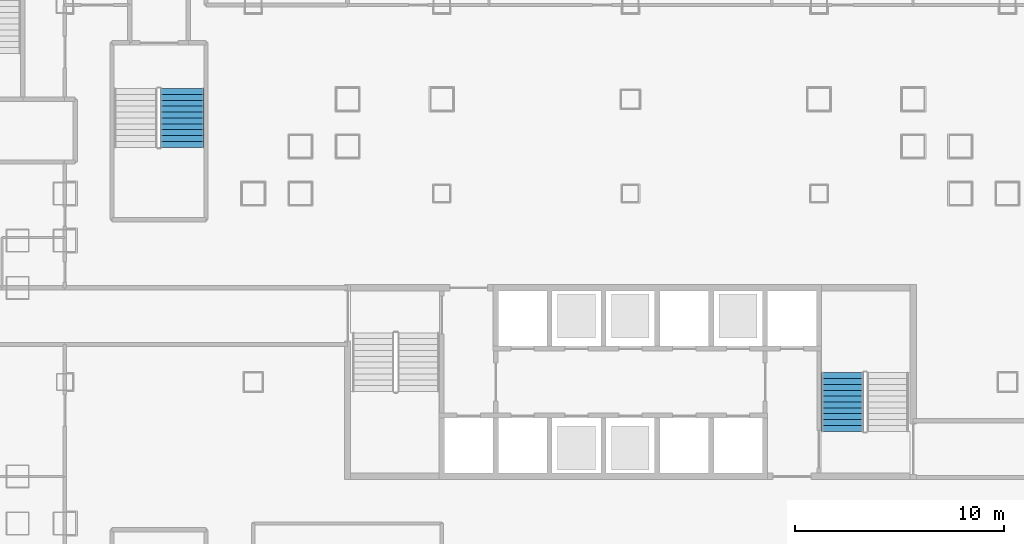
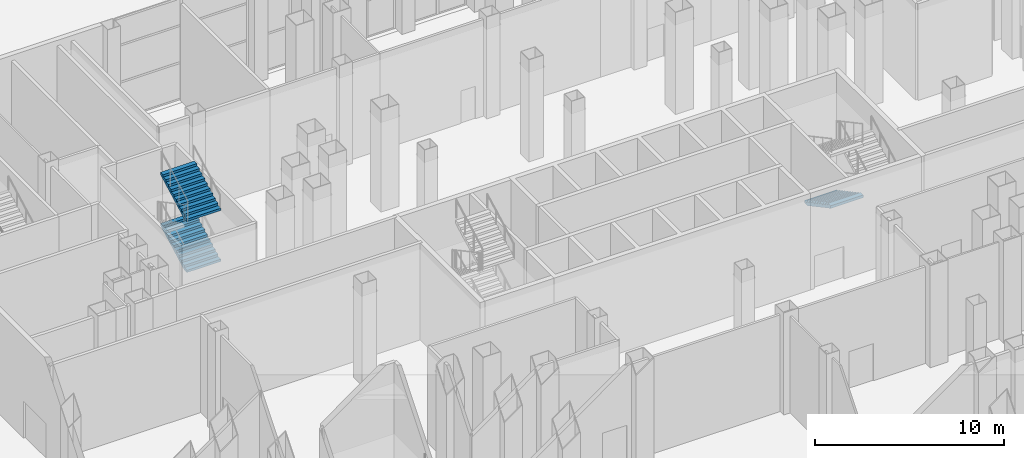
# One storey, part 20 of 38: 3 stair flights, 2 elements without a shape of their own.
"""IFC4 building model written with IfcOpenShell, lengths in metres."""

from ifc_helpers import new_model, si_unit, direction, frame, origin, place, context, subcontext, project, spatial, polygons, material, type_object, element, aggregate, save


model = new_model("IFC4")

# Units and contexts
model_context = context("Model", 3, precision=1e-05, world=origin(), true_north=direction((0.0, 1.0)))
body_context = subcontext(model_context, "Body", "Model", "MODEL_VIEW")
ifc_project = project(units=[si_unit("LENGTHUNIT", "METRE"), si_unit("AREAUNIT", "SQUARE_METRE"), si_unit("VOLUMEUNIT", "CUBIC_METRE"), si_unit("PLANEANGLEUNIT", "RADIAN"), si_unit("MASSUNIT", "GRAM", prefix="KILO")], contexts=[model_context])

# Site, building, storey
site_placement = place(None, origin())
site = spatial("IfcSite", under=ifc_project, at=site_placement, CompositionType="ELEMENT")
building_placement = place(site_placement, origin())
building = spatial("IfcBuilding", under=site, at=building_placement, Name="Caravel Reach Hotel and Residences", CompositionType="ELEMENT")
storey_placement = place(building_placement, origin())
storey = spatial("IfcBuildingStorey", under=building, at=storey_placement, Name="L00", CompositionType="ELEMENT", Elevation=0.0)

# Stair, stair flight
ifc_material_1 = material(Name="Concrete C40", Category="concrete")
stair_type = type_object("IfcStairType", Name="Core stair", PredefinedType="HALF_TURN_STAIR", material=ifc_material_1)
stair_1_placement = place(storey_placement, origin())
stair_1 = element("IfcStair", 1, at=stair_1_placement, inside=storey, type_object=stair_type, Name="L00 Exit stair B", PredefinedType="HALF_TURN_STAIR")
ifc_material_2 = material(Name="Concrete C40", Category="concrete")
stair_flight_type = type_object("IfcStairFlightType", Name="Core stair flight", PredefinedType="STRAIGHT", material=ifc_material_2)
stair_flight_1_placement = place(storey_placement, frame((41.625, 27.449951171875, 1.64990234375), z_axis=(0.0, 0.0, 1.0), x_axis=(0.0, -1.0, 0.0)))
stair_flight_1 = element("IfcStairFlight", 2, at=stair_flight_1_placement, type_object=stair_flight_type, Name="ST-B flight 2", NumberOfRisers=11, NumberOfTreads=10, PredefinedType="STRAIGHT", RiserHeight=0.15, TreadLength=0.28, context=body_context, shape_type="Tessellation", body=[
    polygons([(0.3174408016601862, 1.0, 0.0), (0.3174408016601862, 0.6666666666666667, 0.0), (0.3174408016601862, 0.33333333333333337, 0.0), (0.3174408016601862, 0.0, 0.0), (0.3174408016601862, -0.33333333333333326, 0.0), (0.3174408016601862, -0.6666666666666667, 0.0), (0.3174408016601862, -1.0, 0.0), (2.801, 1.0, 1.329942427682043), (2.801, 0.6666666666666667, 1.329942427682043), (2.801, 0.33333333333333337, 1.329942427682043), (2.801, 0.0, 1.329942427682043), (2.801, -0.33333333333333326, 1.329942427682043), (2.801, -0.6666666666666667, 1.329942427682043), (2.801, -1.0, 1.329942427682043), (2.801, 1.0, 1.5), (2.801, 0.6666666666666667, 1.5), (2.801, 0.33333333333333337, 1.5), (2.801, 0.0, 1.5), (2.801, -0.33333333333333326, 1.5), (2.801, -0.6666666666666667, 1.5), (2.801, -1.0, 1.5), (2.5200000000000005, 1.0, 1.5), (2.5200000000000005, 0.6666666666666667, 1.5), (2.5200000000000005, 0.33333333333333337, 1.5), (2.5200000000000005, 0.0, 1.5), (2.5200000000000005, -0.33333333333333326, 1.5), (2.5200000000000005, -0.6666666666666667, 1.5), (2.5200000000000005, -1.0, 1.5), (2.5200000000000005, 1.0, 1.3499999999999999), (2.5200000000000005, 0.6666666666666667, 1.3499999999999999), (2.5200000000000005, 0.33333333333333337, 1.3499999999999999), (2.5200000000000005, 0.0, 1.3499999999999999), (2.5200000000000005, -0.33333333333333326, 1.3499999999999999), (2.5200000000000005, -0.6666666666666667, 1.3499999999999999), (2.5200000000000005, -1.0, 1.3499999999999999), (2.24, 1.0, 1.3499999999999999), (2.24, 0.6666666666666667, 1.3499999999999999), (2.24, 0.33333333333333337, 1.3499999999999999), (2.24, 0.0, 1.3499999999999999), (2.24, -0.33333333333333326, 1.3499999999999999), (2.24, -0.6666666666666667, 1.3499999999999999), (2.24, -1.0, 1.3499999999999999), (2.24, 1.0, 1.2), (2.24, 0.6666666666666667, 1.2), (2.24, 0.33333333333333337, 1.2), (2.24, 0.0, 1.2), (2.24, -0.33333333333333326, 1.2), (2.24, -0.6666666666666667, 1.2), (2.24, -1.0, 1.2), (1.9600000000000002, 1.0, 1.2), (1.9600000000000002, 0.6666666666666667, 1.2), (1.9600000000000002, 0.33333333333333337, 1.2), (1.9600000000000002, 0.0, 1.2), (1.9600000000000002, -0.33333333333333326, 1.2), (1.9600000000000002, -0.6666666666666667, 1.2), (1.9600000000000002, -1.0, 1.2), (1.9600000000000002, 1.0, 1.05), (1.9600000000000002, 0.6666666666666667, 1.05), (1.9600000000000002, 0.33333333333333337, 1.05), (1.9600000000000002, 0.0, 1.05), (1.9600000000000002, -0.33333333333333326, 1.05), (1.9600000000000002, -0.6666666666666667, 1.05), (1.9600000000000002, -1.0, 1.05), (1.6800000000000002, 1.0, 1.05), (1.6800000000000002, 0.6666666666666667, 1.05), (1.6800000000000002, 0.33333333333333337, 1.05), (1.6800000000000002, 0.0, 1.05), (1.6800000000000002, -0.33333333333333326, 1.05), (1.6800000000000002, -0.6666666666666667, 1.05), (1.6800000000000002, -1.0, 1.05), (1.6800000000000002, 1.0, 0.8999999999999999), (1.6800000000000002, 0.6666666666666667, 0.8999999999999999), (1.6800000000000002, 0.33333333333333337, 0.8999999999999999), (1.6800000000000002, 0.0, 0.8999999999999999), (1.6800000000000002, -0.33333333333333326, 0.8999999999999999), (1.6800000000000002, -0.6666666666666667, 0.8999999999999999), (1.6800000000000002, -1.0, 0.8999999999999999), (1.4000000000000001, 1.0, 0.8999999999999999), (1.4000000000000001, 0.6666666666666667, 0.8999999999999999), (1.4000000000000001, 0.33333333333333337, 0.8999999999999999), (1.4000000000000001, 0.0, 0.8999999999999999), (1.4000000000000001, -0.33333333333333326, 0.8999999999999999), (1.4000000000000001, -0.6666666666666667, 0.8999999999999999), (1.4000000000000001, -1.0, 0.8999999999999999), (1.4000000000000001, 1.0, 0.75), (1.4000000000000001, 0.6666666666666667, 0.75), (1.4000000000000001, 0.33333333333333337, 0.75), (1.4000000000000001, 0.0, 0.75), (1.4000000000000001, -0.33333333333333326, 0.75), (1.4000000000000001, -0.6666666666666667, 0.75), (1.4000000000000001, -1.0, 0.75), (1.12, 1.0, 0.75), (1.12, 0.6666666666666667, 0.75), (1.12, 0.33333333333333337, 0.75), (1.12, 0.0, 0.75), (1.12, -0.33333333333333326, 0.75), (1.12, -0.6666666666666667, 0.75), (1.12, -1.0, 0.75), (1.12, 1.0, 0.6), (1.12, 0.6666666666666667, 0.6), (1.12, 0.33333333333333337, 0.6), (1.12, 0.0, 0.6), (1.12, -0.33333333333333326, 0.6), (1.12, -0.6666666666666667, 0.6), (1.12, -1.0, 0.6), (0.8400000000000001, 1.0, 0.6), (0.8400000000000001, 0.6666666666666667, 0.6), (0.8400000000000001, 0.33333333333333337, 0.6), (0.8400000000000001, 0.0, 0.6), (0.8400000000000001, -0.33333333333333326, 0.6), (0.8400000000000001, -0.6666666666666667, 0.6), (0.8400000000000001, -1.0, 0.6), (0.8400000000000001, 1.0, 0.44999999999999996), (0.8400000000000001, 0.6666666666666667, 0.44999999999999996), (0.8400000000000001, 0.33333333333333337, 0.44999999999999996), (0.8400000000000001, 0.0, 0.44999999999999996), (0.8400000000000001, -0.33333333333333326, 0.44999999999999996), (0.8400000000000001, -0.6666666666666667, 0.44999999999999996), (0.8400000000000001, -1.0, 0.44999999999999996), (0.56, 1.0, 0.44999999999999996), (0.56, 0.6666666666666667, 0.44999999999999996), (0.56, 0.33333333333333337, 0.44999999999999996), (0.56, 0.0, 0.44999999999999996), (0.56, -0.33333333333333326, 0.44999999999999996), (0.56, -0.6666666666666667, 0.44999999999999996), (0.56, -1.0, 0.44999999999999996), (0.56, 1.0, 0.3), (0.56, 0.6666666666666667, 0.3), (0.56, 0.33333333333333337, 0.3), (0.56, 0.0, 0.3), (0.56, -0.33333333333333326, 0.3), (0.56, -0.6666666666666667, 0.3), (0.56, -1.0, 0.3), (0.28, 1.0, 0.3), (0.28, 0.6666666666666667, 0.3), (0.28, 0.33333333333333337, 0.3), (0.28, 0.0, 0.3), (0.28, -0.33333333333333326, 0.3), (0.28, -0.6666666666666667, 0.3), (0.28, -1.0, 0.3), (0.28, 1.0, 0.15), (0.28, 0.6666666666666667, 0.15), (0.28, 0.33333333333333337, 0.15), (0.28, 0.0, 0.15), (0.28, -0.33333333333333326, 0.15), (0.28, -0.6666666666666667, 0.15), (0.28, -1.0, 0.15), (-0.001, 1.0, 0.15), (-0.001, 0.6666666666666667, 0.15), (-0.001, 0.33333333333333337, 0.15), (-0.001, 0.0, 0.15), (-0.001, -0.33333333333333326, 0.15), (-0.001, -0.6666666666666667, 0.15), (-0.001, -1.0, 0.15), (-0.001, 1.0, 0.0), (-0.001, 0.6666666666666667, 0.0), (-0.001, 0.33333333333333337, 0.0), (-0.001, 0.0, 0.0), (-0.001, -0.33333333333333326, 0.0), (-0.001, -0.6666666666666667, 0.0), (-0.001, -1.0, 0.0)], [[[155, 148, 141, 134, 127, 120, 113, 106, 99, 92, 85, 78, 71, 64, 57, 50, 43, 36, 29, 22, 15, 8, 1]], [[7, 14, 21, 28, 35, 42, 49, 56, 63, 70, 77, 84, 91, 98, 105, 112, 119, 126, 133, 140, 147, 154, 161]], [[1, 8, 9, 2]], [[2, 9, 10, 3]], [[3, 10, 11, 4]], [[4, 11, 12, 5]], [[5, 12, 13, 6]], [[6, 13, 14, 7]], [[8, 15, 16, 9]], [[9, 16, 17, 10]], [[10, 17, 18, 11]], [[11, 18, 19, 12]], [[12, 19, 20, 13]], [[13, 20, 21, 14]], [[15, 22, 23, 16]], [[16, 23, 24, 17]], [[17, 24, 25, 18]], [[18, 25, 26, 19]], [[19, 26, 27, 20]], [[20, 27, 28, 21]], [[22, 29, 30, 23]], [[23, 30, 31, 24]], [[24, 31, 32, 25]], [[25, 32, 33, 26]], [[26, 33, 34, 27]], [[27, 34, 35, 28]], [[29, 36, 37, 30]], [[30, 37, 38, 31]], [[31, 38, 39, 32]], [[32, 39, 40, 33]], [[33, 40, 41, 34]], [[34, 41, 42, 35]], [[36, 43, 44, 37]], [[37, 44, 45, 38]], [[38, 45, 46, 39]], [[39, 46, 47, 40]], [[40, 47, 48, 41]], [[41, 48, 49, 42]], [[43, 50, 51, 44]], [[44, 51, 52, 45]], [[45, 52, 53, 46]], [[46, 53, 54, 47]], [[47, 54, 55, 48]], [[48, 55, 56, 49]], [[50, 57, 58, 51]], [[51, 58, 59, 52]], [[52, 59, 60, 53]], [[53, 60, 61, 54]], [[54, 61, 62, 55]], [[55, 62, 63, 56]], [[57, 64, 65, 58]], [[58, 65, 66, 59]], [[59, 66, 67, 60]], [[60, 67, 68, 61]], [[61, 68, 69, 62]], [[62, 69, 70, 63]], [[64, 71, 72, 65]], [[65, 72, 73, 66]], [[66, 73, 74, 67]], [[67, 74, 75, 68]], [[68, 75, 76, 69]], [[69, 76, 77, 70]], [[71, 78, 79, 72]], [[72, 79, 80, 73]], [[73, 80, 81, 74]], [[74, 81, 82, 75]], [[75, 82, 83, 76]], [[76, 83, 84, 77]], [[78, 85, 86, 79]], [[79, 86, 87, 80]], [[80, 87, 88, 81]], [[81, 88, 89, 82]], [[82, 89, 90, 83]], [[83, 90, 91, 84]], [[85, 92, 93, 86]], [[86, 93, 94, 87]], [[87, 94, 95, 88]], [[88, 95, 96, 89]], [[89, 96, 97, 90]], [[90, 97, 98, 91]], [[92, 99, 100, 93]], [[93, 100, 101, 94]], [[94, 101, 102, 95]], [[95, 102, 103, 96]], [[96, 103, 104, 97]], [[97, 104, 105, 98]], [[99, 106, 107, 100]], [[100, 107, 108, 101]], [[101, 108, 109, 102]], [[102, 109, 110, 103]], [[103, 110, 111, 104]], [[104, 111, 112, 105]], [[106, 113, 114, 107]], [[107, 114, 115, 108]], [[108, 115, 116, 109]], [[109, 116, 117, 110]], [[110, 117, 118, 111]], [[111, 118, 119, 112]], [[113, 120, 121, 114]], [[114, 121, 122, 115]], [[115, 122, 123, 116]], [[116, 123, 124, 117]], [[117, 124, 125, 118]], [[118, 125, 126, 119]], [[120, 127, 128, 121]], [[121, 128, 129, 122]], [[122, 129, 130, 123]], [[123, 130, 131, 124]], [[124, 131, 132, 125]], [[125, 132, 133, 126]], [[127, 134, 135, 128]], [[128, 135, 136, 129]], [[129, 136, 137, 130]], [[130, 137, 138, 131]], [[131, 138, 139, 132]], [[132, 139, 140, 133]], [[134, 141, 142, 135]], [[135, 142, 143, 136]], [[136, 143, 144, 137]], [[137, 144, 145, 138]], [[138, 145, 146, 139]], [[139, 146, 147, 140]], [[141, 148, 149, 142]], [[142, 149, 150, 143]], [[143, 150, 151, 144]], [[144, 151, 152, 145]], [[145, 152, 153, 146]], [[146, 153, 154, 147]], [[148, 155, 156, 149]], [[149, 156, 157, 150]], [[150, 157, 158, 151]], [[151, 158, 159, 152]], [[152, 159, 160, 153]], [[153, 160, 161, 154]], [[155, 1, 2, 156]], [[156, 2, 3, 157]], [[157, 3, 4, 158]], [[158, 4, 5, 159]], [[159, 5, 6, 160]], [[160, 6, 7, 161]]], closed=True),
])
aggregate(stair_1, [stair_flight_1])

# Stair, stair flights
stair_2_placement = place(storey_placement, origin())
stair_2 = element("IfcStair", 3, at=stair_2_placement, inside=storey, type_object=stair_type, Name="L00 Exit stair P1", PredefinedType="HALF_TURN_STAIR")
stair_flight_2_placement = place(storey_placement, frame((10.110107421875, 38.2099609375, 1.64990234375), z_axis=(0.0, 0.0, 1.0), x_axis=(0.0, 1.0, 0.0)))
stair_flight_2 = element("IfcStairFlight", 4, at=stair_flight_2_placement, type_object=stair_flight_type, Name="ST-P1 flight 2", NumberOfRisers=11, NumberOfTreads=10, PredefinedType="STRAIGHT", RiserHeight=0.15, TreadLength=0.28, context=body_context, shape_type="Tessellation", body=[
    polygons([(0.3174408016601862, 1.0350341796875, 0.0), (0.3174408016601862, 0.6900227864583333, 0.0), (0.3174408016601862, 0.34501139322916663, 0.0), (0.3174408016601862, 0.0, 0.0), (0.3174408016601862, -0.34501139322916674, 0.0), (0.3174408016601862, -0.6900227864583333, 0.0), (0.3174408016601862, -1.0350341796875, 0.0), (2.801, 1.0350341796875, 1.329942427682043), (2.801, 0.6900227864583333, 1.329942427682043), (2.801, 0.34501139322916663, 1.329942427682043), (2.801, 0.0, 1.329942427682043), (2.801, -0.34501139322916674, 1.329942427682043), (2.801, -0.6900227864583333, 1.329942427682043), (2.801, -1.0350341796875, 1.329942427682043), (2.801, 1.0350341796875, 1.5), (2.801, 0.6900227864583333, 1.5), (2.801, 0.34501139322916663, 1.5), (2.801, 0.0, 1.5), (2.801, -0.34501139322916674, 1.5), (2.801, -0.6900227864583333, 1.5), (2.801, -1.0350341796875, 1.5), (2.5200000000000005, 1.0350341796875, 1.5), (2.5200000000000005, 0.6900227864583333, 1.5), (2.5200000000000005, 0.34501139322916663, 1.5), (2.5200000000000005, 0.0, 1.5), (2.5200000000000005, -0.34501139322916674, 1.5), (2.5200000000000005, -0.6900227864583333, 1.5), (2.5200000000000005, -1.0350341796875, 1.5), (2.5200000000000005, 1.0350341796875, 1.3499999999999999), (2.5200000000000005, 0.6900227864583333, 1.3499999999999999), (2.5200000000000005, 0.34501139322916663, 1.3499999999999999), (2.5200000000000005, 0.0, 1.3499999999999999), (2.5200000000000005, -0.34501139322916674, 1.3499999999999999), (2.5200000000000005, -0.6900227864583333, 1.3499999999999999), (2.5200000000000005, -1.0350341796875, 1.3499999999999999), (2.24, 1.0350341796875, 1.3499999999999999), (2.24, 0.6900227864583333, 1.3499999999999999), (2.24, 0.34501139322916663, 1.3499999999999999), (2.24, 0.0, 1.3499999999999999), (2.24, -0.34501139322916674, 1.3499999999999999), (2.24, -0.6900227864583333, 1.3499999999999999), (2.24, -1.0350341796875, 1.3499999999999999), (2.24, 1.0350341796875, 1.2), (2.24, 0.6900227864583333, 1.2), (2.24, 0.34501139322916663, 1.2), (2.24, 0.0, 1.2), (2.24, -0.34501139322916674, 1.2), (2.24, -0.6900227864583333, 1.2), (2.24, -1.0350341796875, 1.2), (1.9600000000000002, 1.0350341796875, 1.2), (1.9600000000000002, 0.6900227864583333, 1.2), (1.9600000000000002, 0.34501139322916663, 1.2), (1.9600000000000002, 0.0, 1.2), (1.9600000000000002, -0.34501139322916674, 1.2), (1.9600000000000002, -0.6900227864583333, 1.2), (1.9600000000000002, -1.0350341796875, 1.2), (1.9600000000000002, 1.0350341796875, 1.05), (1.9600000000000002, 0.6900227864583333, 1.05), (1.9600000000000002, 0.34501139322916663, 1.05), (1.9600000000000002, 0.0, 1.05), (1.9600000000000002, -0.34501139322916674, 1.05), (1.9600000000000002, -0.6900227864583333, 1.05), (1.9600000000000002, -1.0350341796875, 1.05), (1.6800000000000002, 1.0350341796875, 1.05), (1.6800000000000002, 0.6900227864583333, 1.05), (1.6800000000000002, 0.34501139322916663, 1.05), (1.6800000000000002, 0.0, 1.05), (1.6800000000000002, -0.34501139322916674, 1.05), (1.6800000000000002, -0.6900227864583333, 1.05), (1.6800000000000002, -1.0350341796875, 1.05), (1.6800000000000002, 1.0350341796875, 0.8999999999999999), (1.6800000000000002, 0.6900227864583333, 0.8999999999999999), (1.6800000000000002, 0.34501139322916663, 0.8999999999999999), (1.6800000000000002, 0.0, 0.8999999999999999), (1.6800000000000002, -0.34501139322916674, 0.8999999999999999), (1.6800000000000002, -0.6900227864583333, 0.8999999999999999), (1.6800000000000002, -1.0350341796875, 0.8999999999999999), (1.4000000000000001, 1.0350341796875, 0.8999999999999999), (1.4000000000000001, 0.6900227864583333, 0.8999999999999999), (1.4000000000000001, 0.34501139322916663, 0.8999999999999999), (1.4000000000000001, 0.0, 0.8999999999999999), (1.4000000000000001, -0.34501139322916674, 0.8999999999999999), (1.4000000000000001, -0.6900227864583333, 0.8999999999999999), (1.4000000000000001, -1.0350341796875, 0.8999999999999999), (1.4000000000000001, 1.0350341796875, 0.75), (1.4000000000000001, 0.6900227864583333, 0.75), (1.4000000000000001, 0.34501139322916663, 0.75), (1.4000000000000001, 0.0, 0.75), (1.4000000000000001, -0.34501139322916674, 0.75), (1.4000000000000001, -0.6900227864583333, 0.75), (1.4000000000000001, -1.0350341796875, 0.75), (1.12, 1.0350341796875, 0.75), (1.12, 0.6900227864583333, 0.75), (1.12, 0.34501139322916663, 0.75), (1.12, 0.0, 0.75), (1.12, -0.34501139322916674, 0.75), (1.12, -0.6900227864583333, 0.75), (1.12, -1.0350341796875, 0.75), (1.12, 1.0350341796875, 0.6), (1.12, 0.6900227864583333, 0.6), (1.12, 0.34501139322916663, 0.6), (1.12, 0.0, 0.6), (1.12, -0.34501139322916674, 0.6), (1.12, -0.6900227864583333, 0.6), (1.12, -1.0350341796875, 0.6), (0.8400000000000001, 1.0350341796875, 0.6), (0.8400000000000001, 0.6900227864583333, 0.6), (0.8400000000000001, 0.34501139322916663, 0.6), (0.8400000000000001, 0.0, 0.6), (0.8400000000000001, -0.34501139322916674, 0.6), (0.8400000000000001, -0.6900227864583333, 0.6), (0.8400000000000001, -1.0350341796875, 0.6), (0.8400000000000001, 1.0350341796875, 0.44999999999999996), (0.8400000000000001, 0.6900227864583333, 0.44999999999999996), (0.8400000000000001, 0.34501139322916663, 0.44999999999999996), (0.8400000000000001, 0.0, 0.44999999999999996), (0.8400000000000001, -0.34501139322916674, 0.44999999999999996), (0.8400000000000001, -0.6900227864583333, 0.44999999999999996), (0.8400000000000001, -1.0350341796875, 0.44999999999999996), (0.56, 1.0350341796875, 0.44999999999999996), (0.56, 0.6900227864583333, 0.44999999999999996), (0.56, 0.34501139322916663, 0.44999999999999996), (0.56, 0.0, 0.44999999999999996), (0.56, -0.34501139322916674, 0.44999999999999996), (0.56, -0.6900227864583333, 0.44999999999999996), (0.56, -1.0350341796875, 0.44999999999999996), (0.56, 1.0350341796875, 0.3), (0.56, 0.6900227864583333, 0.3), (0.56, 0.34501139322916663, 0.3), (0.56, 0.0, 0.3), (0.56, -0.34501139322916674, 0.3), (0.56, -0.6900227864583333, 0.3), (0.56, -1.0350341796875, 0.3), (0.28, 1.0350341796875, 0.3), (0.28, 0.6900227864583333, 0.3), (0.28, 0.34501139322916663, 0.3), (0.28, 0.0, 0.3), (0.28, -0.34501139322916674, 0.3), (0.28, -0.6900227864583333, 0.3), (0.28, -1.0350341796875, 0.3), (0.28, 1.0350341796875, 0.15), (0.28, 0.6900227864583333, 0.15), (0.28, 0.34501139322916663, 0.15), (0.28, 0.0, 0.15), (0.28, -0.34501139322916674, 0.15), (0.28, -0.6900227864583333, 0.15), (0.28, -1.0350341796875, 0.15), (-0.001, 1.0350341796875, 0.15), (-0.001, 0.6900227864583333, 0.15), (-0.001, 0.34501139322916663, 0.15), (-0.001, 0.0, 0.15), (-0.001, -0.34501139322916674, 0.15), (-0.001, -0.6900227864583333, 0.15), (-0.001, -1.0350341796875, 0.15), (-0.001, 1.0350341796875, 0.0), (-0.001, 0.6900227864583333, 0.0), (-0.001, 0.34501139322916663, 0.0), (-0.001, 0.0, 0.0), (-0.001, -0.34501139322916674, 0.0), (-0.001, -0.6900227864583333, 0.0), (-0.001, -1.0350341796875, 0.0)], [[[155, 148, 141, 134, 127, 120, 113, 106, 99, 92, 85, 78, 71, 64, 57, 50, 43, 36, 29, 22, 15, 8, 1]], [[7, 14, 21, 28, 35, 42, 49, 56, 63, 70, 77, 84, 91, 98, 105, 112, 119, 126, 133, 140, 147, 154, 161]], [[1, 8, 9, 2]], [[2, 9, 10, 3]], [[3, 10, 11, 4]], [[4, 11, 12, 5]], [[5, 12, 13, 6]], [[6, 13, 14, 7]], [[8, 15, 16, 9]], [[9, 16, 17, 10]], [[10, 17, 18, 11]], [[11, 18, 19, 12]], [[12, 19, 20, 13]], [[13, 20, 21, 14]], [[15, 22, 23, 16]], [[16, 23, 24, 17]], [[17, 24, 25, 18]], [[18, 25, 26, 19]], [[19, 26, 27, 20]], [[20, 27, 28, 21]], [[22, 29, 30, 23]], [[23, 30, 31, 24]], [[24, 31, 32, 25]], [[25, 32, 33, 26]], [[26, 33, 34, 27]], [[27, 34, 35, 28]], [[29, 36, 37, 30]], [[30, 37, 38, 31]], [[31, 38, 39, 32]], [[32, 39, 40, 33]], [[33, 40, 41, 34]], [[34, 41, 42, 35]], [[36, 43, 44, 37]], [[37, 44, 45, 38]], [[38, 45, 46, 39]], [[39, 46, 47, 40]], [[40, 47, 48, 41]], [[41, 48, 49, 42]], [[43, 50, 51, 44]], [[44, 51, 52, 45]], [[45, 52, 53, 46]], [[46, 53, 54, 47]], [[47, 54, 55, 48]], [[48, 55, 56, 49]], [[50, 57, 58, 51]], [[51, 58, 59, 52]], [[52, 59, 60, 53]], [[53, 60, 61, 54]], [[54, 61, 62, 55]], [[55, 62, 63, 56]], [[57, 64, 65, 58]], [[58, 65, 66, 59]], [[59, 66, 67, 60]], [[60, 67, 68, 61]], [[61, 68, 69, 62]], [[62, 69, 70, 63]], [[64, 71, 72, 65]], [[65, 72, 73, 66]], [[66, 73, 74, 67]], [[67, 74, 75, 68]], [[68, 75, 76, 69]], [[69, 76, 77, 70]], [[71, 78, 79, 72]], [[72, 79, 80, 73]], [[73, 80, 81, 74]], [[74, 81, 82, 75]], [[75, 82, 83, 76]], [[76, 83, 84, 77]], [[78, 85, 86, 79]], [[79, 86, 87, 80]], [[80, 87, 88, 81]], [[81, 88, 89, 82]], [[82, 89, 90, 83]], [[83, 90, 91, 84]], [[85, 92, 93, 86]], [[86, 93, 94, 87]], [[87, 94, 95, 88]], [[88, 95, 96, 89]], [[89, 96, 97, 90]], [[90, 97, 98, 91]], [[92, 99, 100, 93]], [[93, 100, 101, 94]], [[94, 101, 102, 95]], [[95, 102, 103, 96]], [[96, 103, 104, 97]], [[97, 104, 105, 98]], [[99, 106, 107, 100]], [[100, 107, 108, 101]], [[101, 108, 109, 102]], [[102, 109, 110, 103]], [[103, 110, 111, 104]], [[104, 111, 112, 105]], [[106, 113, 114, 107]], [[107, 114, 115, 108]], [[108, 115, 116, 109]], [[109, 116, 117, 110]], [[110, 117, 118, 111]], [[111, 118, 119, 112]], [[113, 120, 121, 114]], [[114, 121, 122, 115]], [[115, 122, 123, 116]], [[116, 123, 124, 117]], [[117, 124, 125, 118]], [[118, 125, 126, 119]], [[120, 127, 128, 121]], [[121, 128, 129, 122]], [[122, 129, 130, 123]], [[123, 130, 131, 124]], [[124, 131, 132, 125]], [[125, 132, 133, 126]], [[127, 134, 135, 128]], [[128, 135, 136, 129]], [[129, 136, 137, 130]], [[130, 137, 138, 131]], [[131, 138, 139, 132]], [[132, 139, 140, 133]], [[134, 141, 142, 135]], [[135, 142, 143, 136]], [[136, 143, 144, 137]], [[137, 144, 145, 138]], [[138, 145, 146, 139]], [[139, 146, 147, 140]], [[141, 148, 149, 142]], [[142, 149, 150, 143]], [[143, 150, 151, 144]], [[144, 151, 152, 145]], [[145, 152, 153, 146]], [[146, 153, 154, 147]], [[148, 155, 156, 149]], [[149, 156, 157, 150]], [[150, 157, 158, 151]], [[151, 158, 159, 152]], [[152, 159, 160, 153]], [[153, 160, 161, 154]], [[155, 1, 2, 156]], [[156, 2, 3, 157]], [[157, 3, 4, 158]], [[158, 4, 5, 159]], [[159, 5, 6, 160]], [[160, 6, 7, 161]]], closed=True),
])
stair_flight_3_placement = place(storey_placement, frame((10.110107421875, 38.2099609375, 4.949951171875), z_axis=(0.0, 0.0, 1.0), x_axis=(0.0, 1.0, 0.0)))
stair_flight_3 = element("IfcStairFlight", 5, at=stair_flight_3_placement, type_object=stair_flight_type, Name="ST-P1 flight 4", NumberOfRisers=11, NumberOfTreads=10, PredefinedType="STRAIGHT", RiserHeight=0.15, TreadLength=0.28, context=body_context, shape_type="Tessellation", body=[
    polygons([(0.3174408016601862, 1.0350341796875, 0.0), (0.3174408016601862, 0.6900227864583333, 0.0), (0.3174408016601862, 0.34501139322916663, 0.0), (0.3174408016601862, 0.0, 0.0), (0.3174408016601862, -0.34501139322916674, 0.0), (0.3174408016601862, -0.6900227864583333, 0.0), (0.3174408016601862, -1.0350341796875, 0.0), (2.801, 1.0350341796875, 1.329942427682043), (2.801, 0.6900227864583333, 1.329942427682043), (2.801, 0.34501139322916663, 1.329942427682043), (2.801, 0.0, 1.329942427682043), (2.801, -0.34501139322916674, 1.329942427682043), (2.801, -0.6900227864583333, 1.329942427682043), (2.801, -1.0350341796875, 1.329942427682043), (2.801, 1.0350341796875, 1.5), (2.801, 0.6900227864583333, 1.5), (2.801, 0.34501139322916663, 1.5), (2.801, 0.0, 1.5), (2.801, -0.34501139322916674, 1.5), (2.801, -0.6900227864583333, 1.5), (2.801, -1.0350341796875, 1.5), (2.5200000000000005, 1.0350341796875, 1.5), (2.5200000000000005, 0.6900227864583333, 1.5), (2.5200000000000005, 0.34501139322916663, 1.5), (2.5200000000000005, 0.0, 1.5), (2.5200000000000005, -0.34501139322916674, 1.5), (2.5200000000000005, -0.6900227864583333, 1.5), (2.5200000000000005, -1.0350341796875, 1.5), (2.5200000000000005, 1.0350341796875, 1.3499999999999999), (2.5200000000000005, 0.6900227864583333, 1.3499999999999999), (2.5200000000000005, 0.34501139322916663, 1.3499999999999999), (2.5200000000000005, 0.0, 1.3499999999999999), (2.5200000000000005, -0.34501139322916674, 1.3499999999999999), (2.5200000000000005, -0.6900227864583333, 1.3499999999999999), (2.5200000000000005, -1.0350341796875, 1.3499999999999999), (2.24, 1.0350341796875, 1.3499999999999999), (2.24, 0.6900227864583333, 1.3499999999999999), (2.24, 0.34501139322916663, 1.3499999999999999), (2.24, 0.0, 1.3499999999999999), (2.24, -0.34501139322916674, 1.3499999999999999), (2.24, -0.6900227864583333, 1.3499999999999999), (2.24, -1.0350341796875, 1.3499999999999999), (2.24, 1.0350341796875, 1.2), (2.24, 0.6900227864583333, 1.2), (2.24, 0.34501139322916663, 1.2), (2.24, 0.0, 1.2), (2.24, -0.34501139322916674, 1.2), (2.24, -0.6900227864583333, 1.2), (2.24, -1.0350341796875, 1.2), (1.9600000000000002, 1.0350341796875, 1.2), (1.9600000000000002, 0.6900227864583333, 1.2), (1.9600000000000002, 0.34501139322916663, 1.2), (1.9600000000000002, 0.0, 1.2), (1.9600000000000002, -0.34501139322916674, 1.2), (1.9600000000000002, -0.6900227864583333, 1.2), (1.9600000000000002, -1.0350341796875, 1.2), (1.9600000000000002, 1.0350341796875, 1.05), (1.9600000000000002, 0.6900227864583333, 1.05), (1.9600000000000002, 0.34501139322916663, 1.05), (1.9600000000000002, 0.0, 1.05), (1.9600000000000002, -0.34501139322916674, 1.05), (1.9600000000000002, -0.6900227864583333, 1.05), (1.9600000000000002, -1.0350341796875, 1.05), (1.6800000000000002, 1.0350341796875, 1.05), (1.6800000000000002, 0.6900227864583333, 1.05), (1.6800000000000002, 0.34501139322916663, 1.05), (1.6800000000000002, 0.0, 1.05), (1.6800000000000002, -0.34501139322916674, 1.05), (1.6800000000000002, -0.6900227864583333, 1.05), (1.6800000000000002, -1.0350341796875, 1.05), (1.6800000000000002, 1.0350341796875, 0.8999999999999999), (1.6800000000000002, 0.6900227864583333, 0.8999999999999999), (1.6800000000000002, 0.34501139322916663, 0.8999999999999999), (1.6800000000000002, 0.0, 0.8999999999999999), (1.6800000000000002, -0.34501139322916674, 0.8999999999999999), (1.6800000000000002, -0.6900227864583333, 0.8999999999999999), (1.6800000000000002, -1.0350341796875, 0.8999999999999999), (1.4000000000000001, 1.0350341796875, 0.8999999999999999), (1.4000000000000001, 0.6900227864583333, 0.8999999999999999), (1.4000000000000001, 0.34501139322916663, 0.8999999999999999), (1.4000000000000001, 0.0, 0.8999999999999999), (1.4000000000000001, -0.34501139322916674, 0.8999999999999999), (1.4000000000000001, -0.6900227864583333, 0.8999999999999999), (1.4000000000000001, -1.0350341796875, 0.8999999999999999), (1.4000000000000001, 1.0350341796875, 0.75), (1.4000000000000001, 0.6900227864583333, 0.75), (1.4000000000000001, 0.34501139322916663, 0.75), (1.4000000000000001, 0.0, 0.75), (1.4000000000000001, -0.34501139322916674, 0.75), (1.4000000000000001, -0.6900227864583333, 0.75), (1.4000000000000001, -1.0350341796875, 0.75), (1.12, 1.0350341796875, 0.75), (1.12, 0.6900227864583333, 0.75), (1.12, 0.34501139322916663, 0.75), (1.12, 0.0, 0.75), (1.12, -0.34501139322916674, 0.75), (1.12, -0.6900227864583333, 0.75), (1.12, -1.0350341796875, 0.75), (1.12, 1.0350341796875, 0.6), (1.12, 0.6900227864583333, 0.6), (1.12, 0.34501139322916663, 0.6), (1.12, 0.0, 0.6), (1.12, -0.34501139322916674, 0.6), (1.12, -0.6900227864583333, 0.6), (1.12, -1.0350341796875, 0.6), (0.8400000000000001, 1.0350341796875, 0.6), (0.8400000000000001, 0.6900227864583333, 0.6), (0.8400000000000001, 0.34501139322916663, 0.6), (0.8400000000000001, 0.0, 0.6), (0.8400000000000001, -0.34501139322916674, 0.6), (0.8400000000000001, -0.6900227864583333, 0.6), (0.8400000000000001, -1.0350341796875, 0.6), (0.8400000000000001, 1.0350341796875, 0.44999999999999996), (0.8400000000000001, 0.6900227864583333, 0.44999999999999996), (0.8400000000000001, 0.34501139322916663, 0.44999999999999996), (0.8400000000000001, 0.0, 0.44999999999999996), (0.8400000000000001, -0.34501139322916674, 0.44999999999999996), (0.8400000000000001, -0.6900227864583333, 0.44999999999999996), (0.8400000000000001, -1.0350341796875, 0.44999999999999996), (0.56, 1.0350341796875, 0.44999999999999996), (0.56, 0.6900227864583333, 0.44999999999999996), (0.56, 0.34501139322916663, 0.44999999999999996), (0.56, 0.0, 0.44999999999999996), (0.56, -0.34501139322916674, 0.44999999999999996), (0.56, -0.6900227864583333, 0.44999999999999996), (0.56, -1.0350341796875, 0.44999999999999996), (0.56, 1.0350341796875, 0.3), (0.56, 0.6900227864583333, 0.3), (0.56, 0.34501139322916663, 0.3), (0.56, 0.0, 0.3), (0.56, -0.34501139322916674, 0.3), (0.56, -0.6900227864583333, 0.3), (0.56, -1.0350341796875, 0.3), (0.28, 1.0350341796875, 0.3), (0.28, 0.6900227864583333, 0.3), (0.28, 0.34501139322916663, 0.3), (0.28, 0.0, 0.3), (0.28, -0.34501139322916674, 0.3), (0.28, -0.6900227864583333, 0.3), (0.28, -1.0350341796875, 0.3), (0.28, 1.0350341796875, 0.15), (0.28, 0.6900227864583333, 0.15), (0.28, 0.34501139322916663, 0.15), (0.28, 0.0, 0.15), (0.28, -0.34501139322916674, 0.15), (0.28, -0.6900227864583333, 0.15), (0.28, -1.0350341796875, 0.15), (-0.001, 1.0350341796875, 0.15), (-0.001, 0.6900227864583333, 0.15), (-0.001, 0.34501139322916663, 0.15), (-0.001, 0.0, 0.15), (-0.001, -0.34501139322916674, 0.15), (-0.001, -0.6900227864583333, 0.15), (-0.001, -1.0350341796875, 0.15), (-0.001, 1.0350341796875, 0.0), (-0.001, 0.6900227864583333, 0.0), (-0.001, 0.34501139322916663, 0.0), (-0.001, 0.0, 0.0), (-0.001, -0.34501139322916674, 0.0), (-0.001, -0.6900227864583333, 0.0), (-0.001, -1.0350341796875, 0.0)], [[[155, 148, 141, 134, 127, 120, 113, 106, 99, 92, 85, 78, 71, 64, 57, 50, 43, 36, 29, 22, 15, 8, 1]], [[7, 14, 21, 28, 35, 42, 49, 56, 63, 70, 77, 84, 91, 98, 105, 112, 119, 126, 133, 140, 147, 154, 161]], [[1, 8, 9, 2]], [[2, 9, 10, 3]], [[3, 10, 11, 4]], [[4, 11, 12, 5]], [[5, 12, 13, 6]], [[6, 13, 14, 7]], [[8, 15, 16, 9]], [[9, 16, 17, 10]], [[10, 17, 18, 11]], [[11, 18, 19, 12]], [[12, 19, 20, 13]], [[13, 20, 21, 14]], [[15, 22, 23, 16]], [[16, 23, 24, 17]], [[17, 24, 25, 18]], [[18, 25, 26, 19]], [[19, 26, 27, 20]], [[20, 27, 28, 21]], [[22, 29, 30, 23]], [[23, 30, 31, 24]], [[24, 31, 32, 25]], [[25, 32, 33, 26]], [[26, 33, 34, 27]], [[27, 34, 35, 28]], [[29, 36, 37, 30]], [[30, 37, 38, 31]], [[31, 38, 39, 32]], [[32, 39, 40, 33]], [[33, 40, 41, 34]], [[34, 41, 42, 35]], [[36, 43, 44, 37]], [[37, 44, 45, 38]], [[38, 45, 46, 39]], [[39, 46, 47, 40]], [[40, 47, 48, 41]], [[41, 48, 49, 42]], [[43, 50, 51, 44]], [[44, 51, 52, 45]], [[45, 52, 53, 46]], [[46, 53, 54, 47]], [[47, 54, 55, 48]], [[48, 55, 56, 49]], [[50, 57, 58, 51]], [[51, 58, 59, 52]], [[52, 59, 60, 53]], [[53, 60, 61, 54]], [[54, 61, 62, 55]], [[55, 62, 63, 56]], [[57, 64, 65, 58]], [[58, 65, 66, 59]], [[59, 66, 67, 60]], [[60, 67, 68, 61]], [[61, 68, 69, 62]], [[62, 69, 70, 63]], [[64, 71, 72, 65]], [[65, 72, 73, 66]], [[66, 73, 74, 67]], [[67, 74, 75, 68]], [[68, 75, 76, 69]], [[69, 76, 77, 70]], [[71, 78, 79, 72]], [[72, 79, 80, 73]], [[73, 80, 81, 74]], [[74, 81, 82, 75]], [[75, 82, 83, 76]], [[76, 83, 84, 77]], [[78, 85, 86, 79]], [[79, 86, 87, 80]], [[80, 87, 88, 81]], [[81, 88, 89, 82]], [[82, 89, 90, 83]], [[83, 90, 91, 84]], [[85, 92, 93, 86]], [[86, 93, 94, 87]], [[87, 94, 95, 88]], [[88, 95, 96, 89]], [[89, 96, 97, 90]], [[90, 97, 98, 91]], [[92, 99, 100, 93]], [[93, 100, 101, 94]], [[94, 101, 102, 95]], [[95, 102, 103, 96]], [[96, 103, 104, 97]], [[97, 104, 105, 98]], [[99, 106, 107, 100]], [[100, 107, 108, 101]], [[101, 108, 109, 102]], [[102, 109, 110, 103]], [[103, 110, 111, 104]], [[104, 111, 112, 105]], [[106, 113, 114, 107]], [[107, 114, 115, 108]], [[108, 115, 116, 109]], [[109, 116, 117, 110]], [[110, 117, 118, 111]], [[111, 118, 119, 112]], [[113, 120, 121, 114]], [[114, 121, 122, 115]], [[115, 122, 123, 116]], [[116, 123, 124, 117]], [[117, 124, 125, 118]], [[118, 125, 126, 119]], [[120, 127, 128, 121]], [[121, 128, 129, 122]], [[122, 129, 130, 123]], [[123, 130, 131, 124]], [[124, 131, 132, 125]], [[125, 132, 133, 126]], [[127, 134, 135, 128]], [[128, 135, 136, 129]], [[129, 136, 137, 130]], [[130, 137, 138, 131]], [[131, 138, 139, 132]], [[132, 139, 140, 133]], [[134, 141, 142, 135]], [[135, 142, 143, 136]], [[136, 143, 144, 137]], [[137, 144, 145, 138]], [[138, 145, 146, 139]], [[139, 146, 147, 140]], [[141, 148, 149, 142]], [[142, 149, 150, 143]], [[143, 150, 151, 144]], [[144, 151, 152, 145]], [[145, 152, 153, 146]], [[146, 153, 154, 147]], [[148, 155, 156, 149]], [[149, 156, 157, 150]], [[150, 157, 158, 151]], [[151, 158, 159, 152]], [[152, 159, 160, 153]], [[153, 160, 161, 154]], [[155, 1, 2, 156]], [[156, 2, 3, 157]], [[157, 3, 4, 158]], [[158, 4, 5, 159]], [[159, 5, 6, 160]], [[160, 6, 7, 161]]], closed=True),
])
aggregate(stair_2, [stair_flight_2, stair_flight_3])

save(model, "model.ifc")
